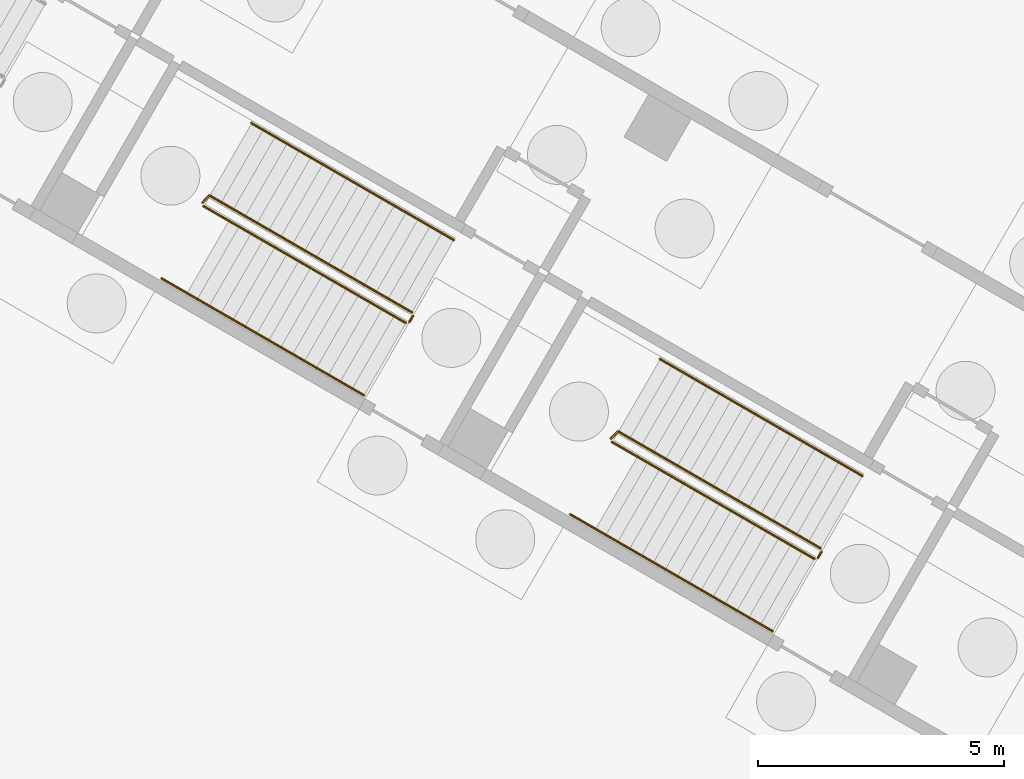
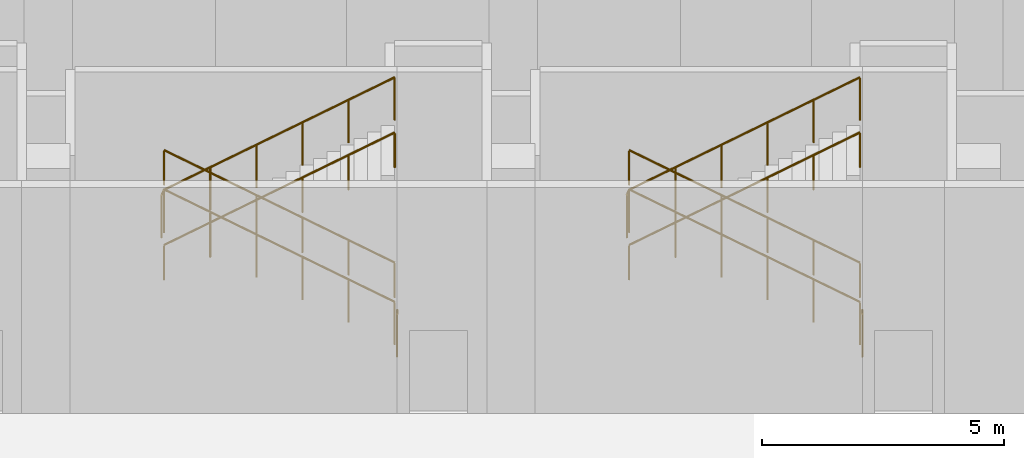
# One storey, part 28 of 38: 10 railings.
"""IFC4 building model written with IfcOpenShell, lengths in metres."""

from ifc_helpers import new_model, si_unit, direction, frame, origin, origin_2d, place, context, subcontext, project, spatial, circle, extrude, material, type_object, element, save


model = new_model("IFC4")

# Units and contexts
model_context = context("Model", 3, precision=1e-05, world=origin(), true_north=direction((0.0, 1.0)))
body_context = subcontext(model_context, "Body", "Model", "MODEL_VIEW")
ifc_project = project(units=[si_unit("LENGTHUNIT", "METRE"), si_unit("AREAUNIT", "SQUARE_METRE"), si_unit("VOLUMEUNIT", "CUBIC_METRE"), si_unit("PLANEANGLEUNIT", "RADIAN"), si_unit("MASSUNIT", "GRAM", prefix="KILO")], contexts=[model_context])

# Site, building, storey
site_placement = place(None, origin())
site = spatial("IfcSite", under=ifc_project, at=site_placement, CompositionType="ELEMENT")
building_placement = place(site_placement, origin())
building = spatial("IfcBuilding", under=site, at=building_placement, Name="Mestral Congress Tower", CompositionType="ELEMENT")
storey_placement = place(building_placement, origin())
storey = spatial("IfcBuildingStorey", under=building, at=storey_placement, Name="L00", CompositionType="ELEMENT", Elevation=0.0)

# Railings
ifc_material_1 = material(Name="Steel balustrade", Category="steel")
railing_type_1 = type_object("IfcRailingType", Name="Podium stair guard 1100", PredefinedType="GUARDRAIL", material=ifc_material_1)
railing_1_placement = place(storey_placement, frame((-51.764892578125, -13.703369140625, 0.166748046875)))
element("IfcRailing", 1, at=railing_1_placement, inside=storey, type_object=railing_type_1, Name="L00 PS-W4 stair guard 1", PredefinedType="GUARDRAIL", context=body_context, shape_type="SweptSolid", body=[
    extrude(circle(Radius=0.02392578125, at=origin_2d()), frame((0.0, 0.0, 1.076171875), z_axis=(-0.744184523948, 0.429630485013, 0.51147535685), x_axis=(-0.499978485002, -0.866037825118, 0.0)), (0.0, 0.0, 1.0), 5.539306640625),
    extrude(circle(Radius=0.02392578125, at=origin_2d()), frame((-4.122314453125, 2.3798828125, 3.9091796875), z_axis=(-0.695164929852, -0.718850276695, 0.0), x_axis=(0.718850276695, -0.695164929852, 0.0)), (0.0, 0.0, 1.0), 0.2060546875),
    extrude(circle(Radius=0.02099609375, at=origin_2d()), origin(), (0.0, 0.0, 1.0), 1.052001953125),
    extrude(circle(Radius=0.02099609375, at=origin_2d()), frame((-0.824462890625, 0.47607421875, 0.566650390625)), (0.0, 0.0, 1.0), 1.052001953125),
    extrude(circle(Radius=0.02099609375, at=origin_2d()), frame((-1.64892578125, 0.951904296875, 1.13330078125)), (0.0, 0.0, 1.0), 1.052001953125),
    extrude(circle(Radius=0.02099609375, at=origin_2d()), frame((-2.473388671875, 1.427978515625, 1.699951171875)), (0.0, 0.0, 1.0), 1.052001953125),
    extrude(circle(Radius=0.02099609375, at=origin_2d()), frame((-3.2978515625, 1.90380859375, 2.2666015625)), (0.0, 0.0, 1.0), 1.052001953125),
    extrude(circle(Radius=0.02099609375, at=origin_2d()), frame((-4.122314453125, 2.3798828125, 2.833251953125)), (0.0, 0.0, 1.0), 1.052001953125),
    extrude(circle(Radius=0.02099609375, at=origin_2d()), frame((-4.265625, 2.231689453125, 2.833251953125)), (0.0, 0.0, 1.0), 1.052001953125),
])
railing_2_placement = place(storey_placement, frame((-56.01220703125, -11.5400390625, 3.166748046875)))
element("IfcRailing", 2, at=railing_2_placement, inside=storey, type_object=railing_type_1, Name="L00 PS-W4 stair guard 2", PredefinedType="GUARDRAIL", context=body_context, shape_type="SweptSolid", body=[
    extrude(circle(Radius=0.02392578125, at=origin_2d()), frame((0.0, 0.0, 1.076171875), z_axis=(0.744184523948, -0.429630485013, 0.51147535685), x_axis=(0.499978485002, 0.866037825118, 0.0)), (0.0, 0.0, 1.0), 5.539306640625),
    extrude(circle(Radius=0.02099609375, at=origin_2d()), origin(), (0.0, 0.0, 1.0), 1.052001953125),
    extrude(circle(Radius=0.02099609375, at=origin_2d()), frame((0.824462890625, -0.47607421875, 0.566650390625)), (0.0, 0.0, 1.0), 1.052001953125),
    extrude(circle(Radius=0.02099609375, at=origin_2d()), frame((1.64892578125, -0.951904296875, 1.13330078125)), (0.0, 0.0, 1.0), 1.052001953125),
    extrude(circle(Radius=0.02099609375, at=origin_2d()), frame((2.473388671875, -1.427978515625, 1.699951171875)), (0.0, 0.0, 1.0), 1.052001953125),
    extrude(circle(Radius=0.02099609375, at=origin_2d()), frame((3.2978515625, -1.90380859375, 2.2666015625)), (0.0, 0.0, 1.0), 1.052001953125),
    extrude(circle(Radius=0.02099609375, at=origin_2d()), frame((4.122314453125, -2.3798828125, 2.833251953125)), (0.0, 0.0, 1.0), 1.052001953125),
])
railing_3_placement = place(storey_placement, frame((-51.74658203125, -13.771728515625, 0.0)))
element("IfcRailing", 3, at=railing_3_placement, inside=storey, type_object=railing_type_1, Name="L00 PS-W4 stair guard 3", PredefinedType="GUARDRAIL", context=body_context, shape_type="SweptSolid", body=[
    extrude(circle(Radius=0.02392578125, at=origin_2d()), frame((0.0, 0.0, 1.076171875), z_axis=(-0.499816412211, -0.866131372301, 0.0), x_axis=(0.866131372301, -0.499816412211, 0.0)), (0.0, 0.0, 1.0), 0.14990234375),
    extrude(circle(Radius=0.02099609375, at=origin_2d()), origin(), (0.0, 0.0, 1.0), 1.052001953125),
    extrude(circle(Radius=0.02099609375, at=origin_2d()), frame((-0.074951171875, -0.1298828125, 0.0)), (0.0, 0.0, 1.0), 1.052001953125),
])
railing_4_placement = place(storey_placement, frame((-60.078857421875, -8.903564453125, 0.166748046875)))
element("IfcRailing", 4, at=railing_4_placement, inside=storey, type_object=railing_type_1, Name="L00 PS-W5 stair guard 1", PredefinedType="GUARDRAIL", context=body_context, shape_type="SweptSolid", body=[
    extrude(circle(Radius=0.02392578125, at=origin_2d()), frame((0.0, 0.0, 1.076171875), z_axis=(-0.744150765448, 0.429680514828, 0.511482446874), x_axis=(-0.500039162534, -0.866002792104, 0.0)), (0.0, 0.0, 1.0), 5.539306640625),
    extrude(circle(Radius=0.02392578125, at=origin_2d()), frame((-4.1220703125, 2.380126953125, 3.9091796875), z_axis=(-0.695164929852, -0.718850276695, 0.0), x_axis=(0.718850276695, -0.695164929852, 0.0)), (0.0, 0.0, 1.0), 0.2060546875),
    extrude(circle(Radius=0.02099609375, at=origin_2d()), origin(), (0.0, 0.0, 1.0), 1.052001953125),
    extrude(circle(Radius=0.02099609375, at=origin_2d()), frame((-0.824462890625, 0.47607421875, 0.566650390625)), (0.0, 0.0, 1.0), 1.052001953125),
    extrude(circle(Radius=0.02099609375, at=origin_2d()), frame((-1.64892578125, 0.9521484375, 1.13330078125)), (0.0, 0.0, 1.0), 1.052001953125),
    extrude(circle(Radius=0.02099609375, at=origin_2d()), frame((-2.47314453125, 1.427978515625, 1.699951171875)), (0.0, 0.0, 1.0), 1.052001953125),
    extrude(circle(Radius=0.02099609375, at=origin_2d()), frame((-3.297607421875, 1.904052734375, 2.2666015625)), (0.0, 0.0, 1.0), 1.052001953125),
    extrude(circle(Radius=0.02099609375, at=origin_2d()), frame((-4.1220703125, 2.380126953125, 2.833251953125)), (0.0, 0.0, 1.0), 1.052001953125),
    extrude(circle(Radius=0.02099609375, at=origin_2d()), frame((-4.265380859375, 2.23193359375, 2.833251953125)), (0.0, 0.0, 1.0), 1.052001953125),
])
railing_5_placement = place(storey_placement, frame((-64.325927734375, -6.739990234375, 3.166748046875)))
element("IfcRailing", 5, at=railing_5_placement, inside=storey, type_object=railing_type_1, Name="L00 PS-W5 stair guard 2", PredefinedType="GUARDRAIL", context=body_context, shape_type="SweptSolid", body=[
    extrude(circle(Radius=0.02392578125, at=origin_2d()), frame((0.0, 0.0, 1.076171875), z_axis=(0.74416485776, -0.429644576726, 0.511492133043), x_axis=(0.500000694566, 0.866025002776, 0.0)), (0.0, 0.0, 1.0), 5.539306640625),
    extrude(circle(Radius=0.02099609375, at=origin_2d()), origin(), (0.0, 0.0, 1.0), 1.052001953125),
    extrude(circle(Radius=0.02099609375, at=origin_2d()), frame((0.824462890625, -0.47607421875, 0.566650390625)), (0.0, 0.0, 1.0), 1.052001953125),
    extrude(circle(Radius=0.02099609375, at=origin_2d()), frame((1.64892578125, -0.951904296875, 1.13330078125)), (0.0, 0.0, 1.0), 1.052001953125),
    extrude(circle(Radius=0.02099609375, at=origin_2d()), frame((2.47314453125, -1.427978515625, 1.699951171875)), (0.0, 0.0, 1.0), 1.052001953125),
    extrude(circle(Radius=0.02099609375, at=origin_2d()), frame((3.297607421875, -1.90380859375, 2.2666015625)), (0.0, 0.0, 1.0), 1.052001953125),
    extrude(circle(Radius=0.02099609375, at=origin_2d()), frame((4.1220703125, -2.3798828125, 2.833251953125)), (0.0, 0.0, 1.0), 1.052001953125),
])
railing_6_placement = place(storey_placement, frame((-60.060546875, -8.9716796875, 0.0)))
element("IfcRailing", 6, at=railing_6_placement, inside=storey, type_object=railing_type_1, Name="L00 PS-W5 stair guard 3", PredefinedType="GUARDRAIL", context=body_context, shape_type="SweptSolid", body=[
    extrude(circle(Radius=0.02392578125, at=origin_2d()), frame((0.0, 0.0, 1.076171875), z_axis=(-0.499816412211, -0.866131372301, 0.0), x_axis=(0.866131372301, -0.499816412211, 0.0)), (0.0, 0.0, 1.0), 0.14990234375),
    extrude(circle(Radius=0.02099609375, at=origin_2d()), origin(), (0.0, 0.0, 1.0), 1.052001953125),
    extrude(circle(Radius=0.02099609375, at=origin_2d()), frame((-0.074951171875, -0.1298828125, 0.0)), (0.0, 0.0, 1.0), 1.052001953125),
])
ifc_material_2 = material(Name="Steel handrail", Category="steel")
railing_type_2 = type_object("IfcRailingType", Name="Podium stair handrail 900", PredefinedType="HANDRAIL", material=ifc_material_2)
railing_7_placement = place(storey_placement, frame((-50.9150390625, -12.231201171875, 0.166748046875)))
element("IfcRailing", 7, at=railing_7_placement, inside=storey, type_object=railing_type_2, Name="L00 PS-W4 stair handrail 1", PredefinedType="HANDRAIL", context=body_context, shape_type="SweptSolid", body=[
    extrude(circle(Radius=0.02392578125, at=origin_2d()), frame((0.0, 0.0, 0.8759765625), z_axis=(-0.74416485776, 0.429644576726, 0.511492133043), x_axis=(-0.500000694566, -0.866025002776, 0.0)), (0.0, 0.0, 1.0), 5.539306640625),
    extrude(circle(Radius=0.02099609375, at=origin_2d()), origin(), (0.0, 0.0, 1.0), 0.851806640625),
    extrude(circle(Radius=0.02099609375, at=origin_2d()), frame((-0.824462890625, 0.47607421875, 0.566650390625)), (0.0, 0.0, 1.0), 0.851806640625),
    extrude(circle(Radius=0.02099609375, at=origin_2d()), frame((-1.64892578125, 0.951904296875, 1.13330078125)), (0.0, 0.0, 1.0), 0.851806640625),
    extrude(circle(Radius=0.02099609375, at=origin_2d()), frame((-2.47314453125, 1.427978515625, 1.699951171875)), (0.0, 0.0, 1.0), 0.851806640625),
    extrude(circle(Radius=0.02099609375, at=origin_2d()), frame((-3.297607421875, 1.90380859375, 2.2666015625)), (0.0, 0.0, 1.0), 0.851806640625),
    extrude(circle(Radius=0.02099609375, at=origin_2d()), frame((-4.1220703125, 2.3798828125, 2.833251953125)), (0.0, 0.0, 1.0), 0.851806640625),
])
railing_8_placement = place(storey_placement, frame((-56.8623046875, -13.01220703125, 3.166748046875)))
element("IfcRailing", 8, at=railing_8_placement, inside=storey, type_object=railing_type_2, Name="L00 PS-W4 stair handrail 2", PredefinedType="HANDRAIL", context=body_context, shape_type="SweptSolid", body=[
    extrude(circle(Radius=0.02392578125, at=origin_2d()), frame((0.0, 0.0, 0.8759765625), z_axis=(0.744184523948, -0.429630485013, 0.51147535685), x_axis=(0.499978485002, 0.866037825118, 0.0)), (0.0, 0.0, 1.0), 5.539306640625),
    extrude(circle(Radius=0.02099609375, at=origin_2d()), origin(), (0.0, 0.0, 1.0), 0.851806640625),
    extrude(circle(Radius=0.02099609375, at=origin_2d()), frame((0.824462890625, -0.47607421875, 0.566650390625)), (0.0, 0.0, 1.0), 0.851806640625),
    extrude(circle(Radius=0.02099609375, at=origin_2d()), frame((1.64892578125, -0.951904296875, 1.13330078125)), (0.0, 0.0, 1.0), 0.851806640625),
    extrude(circle(Radius=0.02099609375, at=origin_2d()), frame((2.473388671875, -1.427978515625, 1.699951171875)), (0.0, 0.0, 1.0), 0.851806640625),
    extrude(circle(Radius=0.02099609375, at=origin_2d()), frame((3.2978515625, -1.90380859375, 2.2666015625)), (0.0, 0.0, 1.0), 0.851806640625),
    extrude(circle(Radius=0.02099609375, at=origin_2d()), frame((4.122314453125, -2.3798828125, 2.833251953125)), (0.0, 0.0, 1.0), 0.851806640625),
])
railing_9_placement = place(storey_placement, frame((-59.228759765625, -7.43115234375, 0.166748046875)))
element("IfcRailing", 9, at=railing_9_placement, inside=storey, type_object=railing_type_2, Name="L00 PS-W5 stair handrail 1", PredefinedType="HANDRAIL", context=body_context, shape_type="SweptSolid", body=[
    extrude(circle(Radius=0.02392578125, at=origin_2d()), frame((0.0, 0.0, 0.8759765625), z_axis=(-0.744184523948, 0.429630485013, 0.51147535685), x_axis=(-0.499978485002, -0.866037825118, 0.0)), (0.0, 0.0, 1.0), 5.539306640625),
    extrude(circle(Radius=0.02099609375, at=origin_2d()), origin(), (0.0, 0.0, 1.0), 0.851806640625),
    extrude(circle(Radius=0.02099609375, at=origin_2d()), frame((-0.824462890625, 0.47607421875, 0.566650390625)), (0.0, 0.0, 1.0), 0.851806640625),
    extrude(circle(Radius=0.02099609375, at=origin_2d()), frame((-1.64892578125, 0.951904296875, 1.13330078125)), (0.0, 0.0, 1.0), 0.851806640625),
    extrude(circle(Radius=0.02099609375, at=origin_2d()), frame((-2.473388671875, 1.427978515625, 1.699951171875)), (0.0, 0.0, 1.0), 0.851806640625),
    extrude(circle(Radius=0.02099609375, at=origin_2d()), frame((-3.2978515625, 1.90380859375, 2.2666015625)), (0.0, 0.0, 1.0), 0.851806640625),
    extrude(circle(Radius=0.02099609375, at=origin_2d()), frame((-4.122314453125, 2.3798828125, 2.833251953125)), (0.0, 0.0, 1.0), 0.851806640625),
])
railing_10_placement = place(storey_placement, frame((-65.176025390625, -8.212158203125, 3.166748046875)))
element("IfcRailing", 10, at=railing_10_placement, inside=storey, type_object=railing_type_2, Name="L00 PS-W5 stair handrail 2", PredefinedType="HANDRAIL", context=body_context, shape_type="SweptSolid", body=[
    extrude(circle(Radius=0.02392578125, at=origin_2d()), frame((0.0, 0.0, 0.8759765625), z_axis=(0.744170432188, -0.42966642247, 0.511465671634), x_axis=(0.5000169524, 0.866015616091, 0.0)), (0.0, 0.0, 1.0), 5.53955078125),
    extrude(circle(Radius=0.02099609375, at=origin_2d()), origin(), (0.0, 0.0, 1.0), 0.851806640625),
    extrude(circle(Radius=0.02099609375, at=origin_2d()), frame((0.824462890625, -0.47607421875, 0.566650390625)), (0.0, 0.0, 1.0), 0.851806640625),
    extrude(circle(Radius=0.02099609375, at=origin_2d()), frame((1.64892578125, -0.9521484375, 1.13330078125)), (0.0, 0.0, 1.0), 0.851806640625),
    extrude(circle(Radius=0.02099609375, at=origin_2d()), frame((2.473388671875, -1.427978515625, 1.699951171875)), (0.0, 0.0, 1.0), 0.851806640625),
    extrude(circle(Radius=0.02099609375, at=origin_2d()), frame((3.2978515625, -1.904052734375, 2.2666015625)), (0.0, 0.0, 1.0), 0.851806640625),
    extrude(circle(Radius=0.02099609375, at=origin_2d()), frame((4.122314453125, -2.380126953125, 2.833251953125)), (0.0, 0.0, 1.0), 0.851806640625),
])

save(model, "model.ifc")
